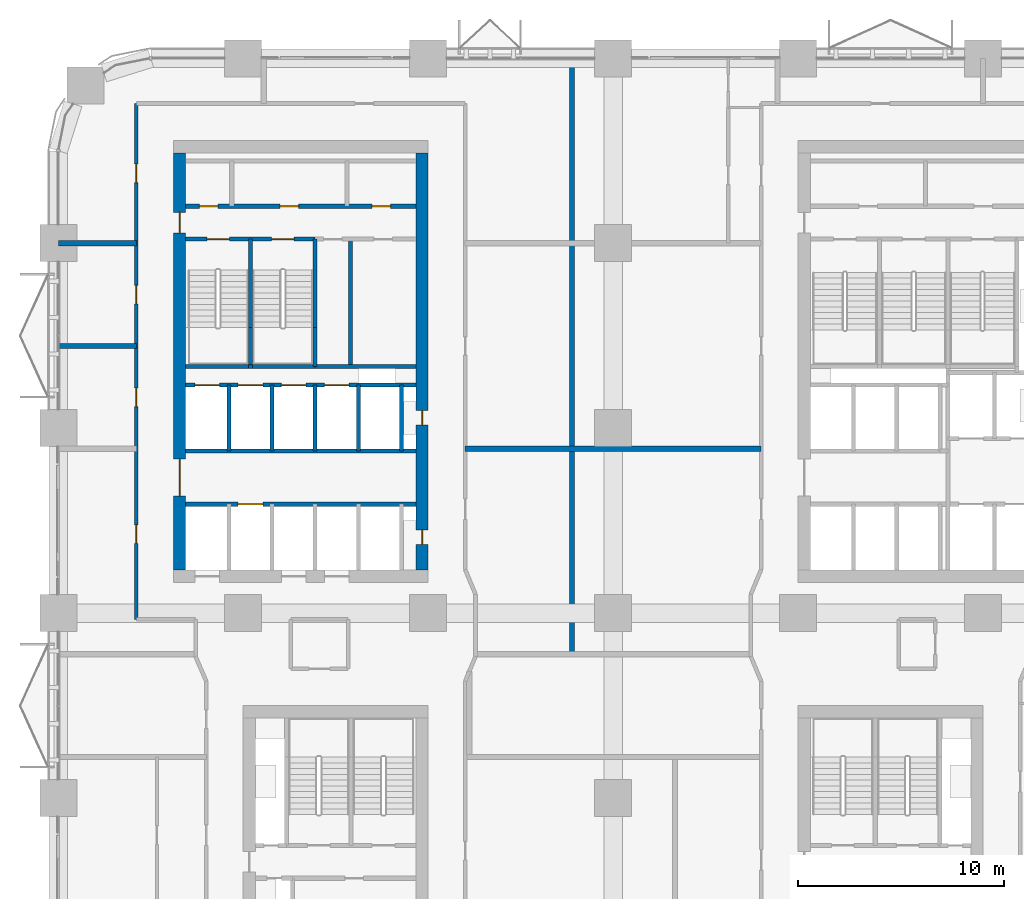
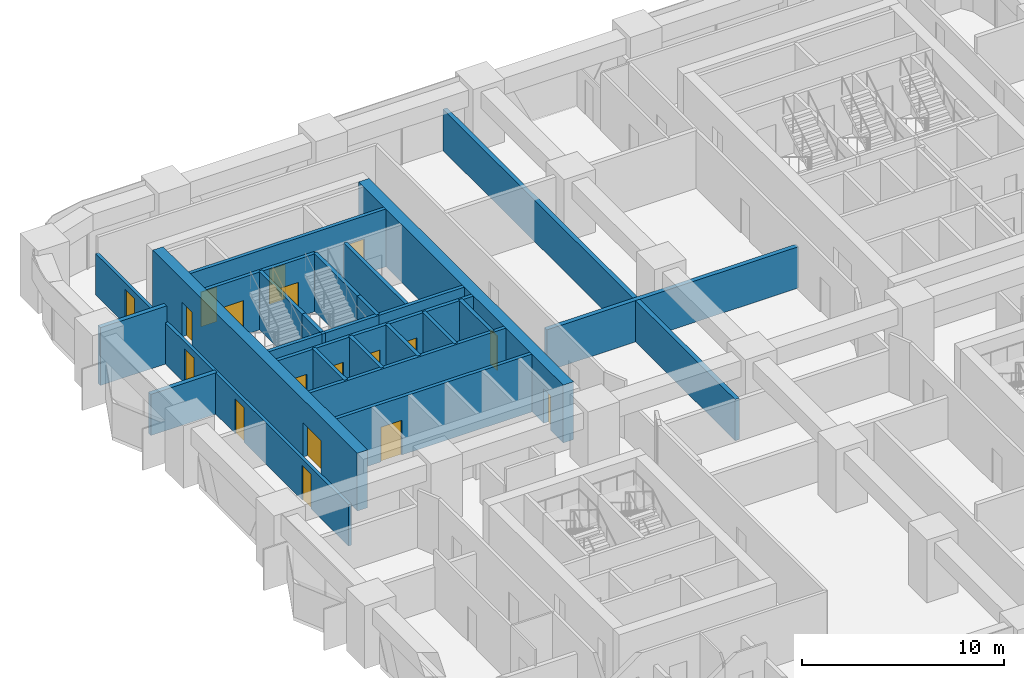
# One storey, part 15 of 21: 26 walls, 18 doors, 18 openings.
"""IFC4 building model written with IfcOpenShell, lengths in metres."""

from ifc_helpers import new_model, si_unit, direction, frame, frame_2d, origin, place, context, subcontext, project, spatial, rectangle, extrude, material, layer, layer_set, type_object, element, fill, save


model = new_model("IFC4")

# Units and contexts
model_context = context("Model", 3, precision=1e-05, world=origin(), true_north=direction((0.0, 1.0)))
body_context = subcontext(model_context, "Body", "Model", "MODEL_VIEW")
ifc_project = project(units=[si_unit("LENGTHUNIT", "METRE"), si_unit("AREAUNIT", "SQUARE_METRE"), si_unit("VOLUMEUNIT", "CUBIC_METRE"), si_unit("PLANEANGLEUNIT", "RADIAN"), si_unit("MASSUNIT", "GRAM", prefix="KILO")], contexts=[model_context])

# Site, building, storey
site_placement = place(None, origin())
site = spatial("IfcSite", under=ifc_project, at=site_placement, CompositionType="ELEMENT")
building_placement = place(site_placement, origin())
building = spatial("IfcBuilding", under=site, at=building_placement, Name="Tessera Arch", CompositionType="ELEMENT")
storey_placement = place(building_placement, frame((0.0, 0.0, 42.39990234375)))
storey = spatial("IfcBuildingStorey", under=building, at=storey_placement, Name="L08", CompositionType="ELEMENT", Elevation=42.39990234375)

# Wall
ifc_material_1 = material(Name="Gypsum board on steel stud", Category="steel")
ifc_layer_1 = layer(ifc_material_1, 0.125)
ifc_layer_set_1 = layer_set([ifc_layer_1], Name="Core partition 125 EI 60")
wall_type_1 = type_object("IfcWallType", Name="Core partition 125 EI 60", PredefinedType="PARTITIONING", material=ifc_layer_set_1)
wall_1_placement = place(storey_placement, frame((14.215087890625, 39.0, 0.0), z_axis=(0.0, 0.0, 1.0), x_axis=(0.0, 1.0, 0.0)))
element("IfcWall", 1, at=wall_1_placement, inside=storey, type_object=wall_type_1, Name="L08 C2 partition wall 13", PredefinedType="PARTITIONING", context=body_context, shape_type="SweptSolid", body=[
    extrude(rectangle(XDim=6.199951171875, YDim=0.199951171875, at=frame_2d((3.10009765625, 0.0))), origin(), (0.0, 0.0, 1.0), 3.5),
])

# Wall, openings, doors
wall_2_placement = place(storey_placement, frame((6.199951171875, 46.800048828125, 0.0), z_axis=(0.0, 0.0, 1.0), x_axis=(1.0, 0.0, 0.0)))
wall_2 = element("IfcWall", 2, at=wall_2_placement, inside=storey, type_object=wall_type_1, Name="L08 C2 partition wall 27", PredefinedType="PARTITIONING", context=body_context, shape_type="SweptSolid", body=[
    extrude(rectangle(XDim=11.199951171875, YDim=0.199951171875, at=frame_2d((5.60009765625, 0.0))), origin(), (0.0, 0.0, 1.0), 3.5),
])
opening_1_placement = place(wall_2_placement, frame((0.669921875, 0.0, 0.0)))
opening_1 = element("IfcOpeningElement", 3, at=opening_1_placement, cuts=wall_2, Name="Opening L08-C28", PredefinedType="OPENING", context=body_context, shape_type="SweptSolid", body=[
    extrude(rectangle(XDim=0.89990234375, YDim=2.10009765625, at=frame_2d((0.449951171875, 1.050048828125))), frame((0.0, 0.10986328125, 0.0), z_axis=(0.0, -1.0, 0.0), x_axis=(1.0, 0.0, 0.0)), (0.0, 0.0, 1.0), 0.219970703125),
])
opening_2_placement = place(wall_2_placement, frame((4.590087890625, 0.0, 0.0)))
opening_2 = element("IfcOpeningElement", 4, at=opening_2_placement, cuts=wall_2, Name="Opening L08-C29", PredefinedType="OPENING", context=body_context, shape_type="SweptSolid", body=[
    extrude(rectangle(XDim=0.89990234375, YDim=2.10009765625, at=frame_2d((0.449951171875, 1.050048828125))), frame((0.0, 0.10986328125, 0.0), z_axis=(0.0, -1.0, 0.0), x_axis=(1.0, 0.0, 0.0)), (0.0, 0.0, 1.0), 0.219970703125),
])
opening_3_placement = place(wall_2_placement, frame((9.070068359375, 0.0, 0.0)))
opening_3 = element("IfcOpeningElement", 5, at=opening_3_placement, cuts=wall_2, Name="Opening L08-C30", PredefinedType="OPENING", context=body_context, shape_type="SweptSolid", body=[
    extrude(rectangle(XDim=0.89990234375, YDim=2.10009765625, at=frame_2d((0.449951171875, 1.050048828125))), frame((0.0, 0.10986328125, 0.0), z_axis=(0.0, -1.0, 0.0), x_axis=(1.0, 0.0, 0.0)), (0.0, 0.0, 1.0), 0.219970703125),
])
ifc_material_2 = material(Name="Steel door leaf", Category="steel")
door_type_1 = type_object("IfcDoorType", Name="Store door FD30S 900 x 2100", OperationType="SINGLE_SWING_LEFT", PredefinedType="DOOR", material=ifc_material_2)
door_1_placement = place(opening_1_placement, origin())
door_1 = element("IfcDoor", 6, at=door_1_placement, inside=storey, type_object=door_type_1, Name="L08 C2 door 15 C28 type D09", OperationType="SINGLE_SWING_LEFT", OverallHeight=2.10009765625, OverallWidth=0.89990234375, PredefinedType="DOOR", context=body_context, shape_type="SweptSolid", body=[
    extrude(rectangle(XDim=0.89990234375, YDim=2.10009765625, at=frame_2d((0.449951171875, 1.050048828125))), frame((0.0, 0.02490234375, 0.0), z_axis=(0.0, -1.0, 0.0), x_axis=(1.0, 0.0, 0.0)), (0.0, 0.0, 1.0), 0.050048828125),
])
fill(opening_1, door_1)
door_2_placement = place(opening_2_placement, origin())
door_2 = element("IfcDoor", 7, at=door_2_placement, inside=storey, type_object=door_type_1, Name="L08 C2 door 16 C29 type D09", OperationType="SINGLE_SWING_LEFT", OverallHeight=2.10009765625, OverallWidth=0.89990234375, PredefinedType="DOOR", context=body_context, shape_type="SweptSolid", body=[
    extrude(rectangle(XDim=0.89990234375, YDim=2.10009765625, at=frame_2d((0.449951171875, 1.050048828125))), frame((0.0, 0.02490234375, 0.0), z_axis=(0.0, -1.0, 0.0), x_axis=(1.0, 0.0, 0.0)), (0.0, 0.0, 1.0), 0.050048828125),
])
fill(opening_2, door_2)
door_3_placement = place(opening_3_placement, origin())
door_3 = element("IfcDoor", 8, at=door_3_placement, inside=storey, type_object=door_type_1, Name="L08 C2 door 17 C30 type D09", OperationType="SINGLE_SWING_RIGHT", OverallHeight=2.10009765625, OverallWidth=0.89990234375, PredefinedType="DOOR", context=body_context, shape_type="SweptSolid", body=[
    extrude(rectangle(XDim=0.89990234375, YDim=2.10009765625, at=frame_2d((0.449951171875, 1.050048828125))), frame((0.0, 0.02490234375, 0.0), z_axis=(0.0, -1.0, 0.0), x_axis=(1.0, 0.0, 0.0)), (0.0, 0.0, 1.0), 0.050048828125),
])
fill(opening_3, door_3)

ifc_material_3 = material(Name="Concrete C70/85", Category="concrete")
ifc_layer_2 = layer(ifc_material_3, 0.60009765625)
ifc_layer_set_2 = layer_set([ifc_layer_2], Name="Core shell wall 600 C70-85")
wall_type_2 = type_object("IfcWallType", Name="Core shell wall 600 C70-85", PredefinedType="SHEAR", material=ifc_layer_set_2)
wall_3_placement = place(storey_placement, frame((5.89990234375, 29.10009765625, 0.0), z_axis=(0.0, 0.0, 1.0), x_axis=(0.0, 1.0, 0.0)))
wall_3 = element("IfcWall", 9, at=wall_3_placement, inside=storey, type_object=wall_type_2, Name="L08 C2 core wall W", PredefinedType="SHEAR", context=body_context, shape_type="SweptSolid", body=[
    extrude(rectangle(XDim=20.2998046875, YDim=0.60009765625, at=frame_2d((10.14990234375, 0.0))), origin(), (0.0, 0.0, 1.0), 3.5),
])
opening_4_placement = place(wall_3_placement, frame((3.60009765625, 0.0, 0.0)))
opening_4 = element("IfcOpeningElement", 10, at=opening_4_placement, cuts=wall_3, Name="Opening L08-C24", PredefinedType="OPENING", context=body_context, shape_type="SweptSolid", body=[
    extrude(rectangle(XDim=1.800048828125, YDim=2.10009765625, at=frame_2d((0.89990234375, 1.050048828125))), frame((0.0, 0.31005859375, 0.0), z_axis=(0.0, -1.0, 0.0), x_axis=(1.0, 0.0, 0.0)), (0.0, 0.0, 1.0), 0.6201171875),
])
opening_5_placement = place(wall_3_placement, frame((16.39990234375, 0.0, 0.0)))
opening_5 = element("IfcOpeningElement", 11, at=opening_5_placement, cuts=wall_3, Name="Opening L08-C27", PredefinedType="OPENING", context=body_context, shape_type="SweptSolid", body=[
    extrude(rectangle(XDim=1.0, YDim=2.10009765625, at=frame_2d((0.5, 1.050048828125))), frame((0.0, 0.31005859375, 0.0), z_axis=(0.0, -1.0, 0.0), x_axis=(1.0, 0.0, 0.0)), (0.0, 0.0, 1.0), 0.6201171875),
])
ifc_material_4 = material(Name="Steel door leaf", Category="steel")
door_type_2 = type_object("IfcDoorType", Name="Corridor door FD60 1000 x 2100", OperationType="SINGLE_SWING_LEFT", PredefinedType="DOOR", material=ifc_material_4)
door_4_placement = place(opening_5_placement, origin())
door_4 = element("IfcDoor", 12, at=door_4_placement, inside=storey, type_object=door_type_2, Name="L08 C2 door 14 C27 type D12", OperationType="SINGLE_SWING_RIGHT", OverallHeight=2.10009765625, OverallWidth=1.0, PredefinedType="DOOR", context=body_context, shape_type="SweptSolid", body=[
    extrude(rectangle(XDim=1.0, YDim=2.10009765625, at=frame_2d((0.5, 1.050048828125))), frame((0.0, 0.02490234375, 0.0), z_axis=(0.0, -1.0, 0.0), x_axis=(1.0, 0.0, 0.0)), (0.0, 0.0, 1.0), 0.050048828125),
])
fill(opening_5, door_4)
ifc_material_5 = material(Name="Glazed steel door leaf", Category="steel")
door_type_3 = type_object("IfcDoorType", Name="Lobby double door FD30S 1800 x 2100", OperationType="DOUBLE_DOOR_SINGLE_SWING", PredefinedType="DOOR", material=ifc_material_5)
door_5_placement = place(opening_4_placement, origin())
door_5 = element("IfcDoor", 13, at=door_5_placement, inside=storey, type_object=door_type_3, Name="L08 C2 door 11 C24 type D06", OperationType="DOUBLE_DOOR_SINGLE_SWING", OverallHeight=2.10009765625, OverallWidth=1.800048828125, PredefinedType="DOOR", context=body_context, shape_type="SweptSolid", body=[
    extrude(rectangle(XDim=1.800048828125, YDim=2.10009765625, at=frame_2d((0.89990234375, 1.050048828125))), frame((0.0, 0.02490234375, 0.0), z_axis=(0.0, -1.0, 0.0), x_axis=(1.0, 0.0, 0.0)), (0.0, 0.0, 1.0), 0.050048828125),
])
fill(opening_4, door_5)

wall_4_placement = place(storey_placement, frame((17.699951171875, 29.10009765625, 0.0), z_axis=(0.0, 0.0, 1.0), x_axis=(0.0, 1.0, 0.0)))
wall_4 = element("IfcWall", 14, at=wall_4_placement, inside=storey, type_object=wall_type_2, Name="L08 C2 core wall E", PredefinedType="SHEAR", context=body_context, shape_type="SweptSolid", body=[
    extrude(rectangle(XDim=20.2998046875, YDim=0.60009765625, at=frame_2d((10.14990234375, 0.0))), origin(), (0.0, 0.0, 1.0), 3.5),
])
opening_6_placement = place(wall_4_placement, frame((1.25, 0.0, 0.0)))
opening_6 = element("IfcOpeningElement", 15, at=opening_6_placement, cuts=wall_4, Name="Opening L08-C22", PredefinedType="OPENING", context=body_context, shape_type="SweptSolid", body=[
    extrude(rectangle(XDim=0.699951171875, YDim=2.10009765625, at=frame_2d((0.35009765625, 1.050048828125))), frame((0.0, 0.31005859375, 0.0), z_axis=(0.0, -1.0, 0.0), x_axis=(1.0, 0.0, 0.0)), (0.0, 0.0, 1.0), 0.6201171875),
])
opening_7_placement = place(wall_4_placement, frame((7.050048828125, 0.0, 0.0)))
opening_7 = element("IfcOpeningElement", 16, at=opening_7_placement, cuts=wall_4, Name="Opening L08-C23", PredefinedType="OPENING", context=body_context, shape_type="SweptSolid", body=[
    extrude(rectangle(XDim=0.699951171875, YDim=2.10009765625, at=frame_2d((0.35009765625, 1.050048828125))), frame((0.0, 0.31005859375, 0.0), z_axis=(0.0, -1.0, 0.0), x_axis=(1.0, 0.0, 0.0)), (0.0, 0.0, 1.0), 0.6201171875),
])
ifc_material_6 = material(Name="Steel door leaf", Category="steel")
door_type_4 = type_object("IfcDoorType", Name="Service shaft door FD60 700 x 2100", OperationType="SINGLE_SWING_LEFT", PredefinedType="DOOR", material=ifc_material_6)
door_6_placement = place(opening_6_placement, origin())
door_6 = element("IfcDoor", 17, at=door_6_placement, inside=storey, type_object=door_type_4, Name="L08 C2 door 9 C22 type D07", OperationType="SINGLE_SWING_LEFT", OverallHeight=2.10009765625, OverallWidth=0.699951171875, PredefinedType="DOOR", context=body_context, shape_type="SweptSolid", body=[
    extrude(rectangle(XDim=0.699951171875, YDim=2.10009765625, at=frame_2d((0.35009765625, 1.050048828125))), frame((0.0, 0.02490234375, 0.0), z_axis=(0.0, -1.0, 0.0), x_axis=(1.0, 0.0, 0.0)), (0.0, 0.0, 1.0), 0.050048828125),
])
fill(opening_6, door_6)
door_7_placement = place(opening_7_placement, origin())
door_7 = element("IfcDoor", 18, at=door_7_placement, inside=storey, type_object=door_type_4, Name="L08 C2 door 10 C23 type D07", OperationType="SINGLE_SWING_LEFT", OverallHeight=2.10009765625, OverallWidth=0.699951171875, PredefinedType="DOOR", context=body_context, shape_type="SweptSolid", body=[
    extrude(rectangle(XDim=0.699951171875, YDim=2.10009765625, at=frame_2d((0.35009765625, 1.050048828125))), frame((0.0, 0.02490234375, 0.0), z_axis=(0.0, -1.0, 0.0), x_axis=(1.0, 0.0, 0.0)), (0.0, 0.0, 1.0), 0.050048828125),
])
fill(opening_7, door_7)

ifc_material_7 = material(Name="Gypsum board on deep steel stud with mineral wool", Category="steel")
ifc_layer_3 = layer(ifc_material_7, 0.175048828125)
ifc_layer_set_3 = layer_set([ifc_layer_3], Name="Corridor wall 175 EI 60")
wall_type_3 = type_object("IfcWallType", Name="Corridor wall 175 EI 60", PredefinedType="PARTITIONING", material=ifc_layer_set_3)
wall_5_placement = place(storey_placement, frame((3.800048828125, 26.699951171875, 0.0), z_axis=(0.0, 0.0, 1.0), x_axis=(0.0, 1.0, 0.0)))
wall_5 = element("IfcWall", 19, at=wall_5_placement, inside=storey, type_object=wall_type_3, Name="L08 partition 11", PredefinedType="PARTITIONING", context=body_context, shape_type="SweptSolid", body=[
    extrude(rectangle(XDim=25.10009765625, YDim=0.175048828125, at=frame_2d((12.550048828125, 0.0))), origin(), (0.0, 0.0, 1.0), 2.5),
])
opening_8_placement = place(wall_5_placement, frame((3.699951171875, 0.0, 0.0)))
opening_8 = element("IfcOpeningElement", 20, at=opening_8_placement, cuts=wall_5, Name="Opening L08-D023", PredefinedType="OPENING", context=body_context, shape_type="SweptSolid", body=[
    extrude(rectangle(XDim=0.89990234375, YDim=2.10009765625, at=frame_2d((0.449951171875, 1.050048828125))), frame((0.0, 0.097412109375, 0.0), z_axis=(0.0, -1.0, 0.0), x_axis=(1.0, 0.0, 0.0)), (0.0, 0.0, 1.0), 0.195068359375),
])
opening_9_placement = place(wall_5_placement, frame((10.35009765625, 0.0, 0.0)))
opening_9 = element("IfcOpeningElement", 21, at=opening_9_placement, cuts=wall_5, Name="Opening L08-D027", PredefinedType="OPENING", context=body_context, shape_type="SweptSolid", body=[
    extrude(rectangle(XDim=0.89990234375, YDim=2.10009765625, at=frame_2d((0.449951171875, 1.050048828125))), frame((0.0, 0.097412109375, 0.0), z_axis=(0.0, -1.0, 0.0), x_axis=(1.0, 0.0, 0.0)), (0.0, 0.0, 1.0), 0.195068359375),
])
opening_10_placement = place(wall_5_placement, frame((15.35009765625, 0.0, 0.0)))
opening_10 = element("IfcOpeningElement", 22, at=opening_10_placement, cuts=wall_5, Name="Opening L08-D030", PredefinedType="OPENING", context=body_context, shape_type="SweptSolid", body=[
    extrude(rectangle(XDim=0.89990234375, YDim=2.10009765625, at=frame_2d((0.449951171875, 1.050048828125))), frame((0.0, 0.097412109375, 0.0), z_axis=(0.0, -1.0, 0.0), x_axis=(1.0, 0.0, 0.0)), (0.0, 0.0, 1.0), 0.195068359375),
])
opening_11_placement = place(wall_5_placement, frame((21.25, 0.0, 0.0)))
opening_11 = element("IfcOpeningElement", 23, at=opening_11_placement, cuts=wall_5, Name="Opening L08-D036", PredefinedType="OPENING", context=body_context, shape_type="SweptSolid", body=[
    extrude(rectangle(XDim=0.89990234375, YDim=2.10009765625, at=frame_2d((0.449951171875, 1.050048828125))), frame((0.0, 0.097412109375, 0.0), z_axis=(0.0, -1.0, 0.0), x_axis=(1.0, 0.0, 0.0)), (0.0, 0.0, 1.0), 0.195068359375),
])
ifc_material_8 = material(Name="Timber door leaf", Category="wood")
door_type_5 = type_object("IfcDoorType", Name="Room door 900 x 2100", OperationType="SINGLE_SWING_LEFT", PredefinedType="DOOR", material=ifc_material_8)
door_8_placement = place(opening_8_placement, origin())
door_8 = element("IfcDoor", 24, at=door_8_placement, inside=storey, type_object=door_type_5, Name="L08 door D023 type D01", OperationType="SINGLE_SWING_LEFT", OverallHeight=2.10009765625, OverallWidth=0.89990234375, PredefinedType="DOOR", context=body_context, shape_type="SweptSolid", body=[
    extrude(rectangle(XDim=0.89990234375, YDim=2.10009765625, at=frame_2d((0.449951171875, 1.050048828125))), frame((0.0, 0.02490234375, 0.0), z_axis=(0.0, -1.0, 0.0), x_axis=(1.0, 0.0, 0.0)), (0.0, 0.0, 1.0), 0.050048828125),
])
fill(opening_8, door_8)
door_9_placement = place(opening_9_placement, origin())
door_9 = element("IfcDoor", 25, at=door_9_placement, inside=storey, type_object=door_type_5, Name="L08 door D027 type D01", OperationType="SINGLE_SWING_LEFT", OverallHeight=2.10009765625, OverallWidth=0.89990234375, PredefinedType="DOOR", context=body_context, shape_type="SweptSolid", body=[
    extrude(rectangle(XDim=0.89990234375, YDim=2.10009765625, at=frame_2d((0.449951171875, 1.050048828125))), frame((0.0, 0.02490234375, 0.0), z_axis=(0.0, -1.0, 0.0), x_axis=(1.0, 0.0, 0.0)), (0.0, 0.0, 1.0), 0.050048828125),
])
fill(opening_9, door_9)
door_10_placement = place(opening_10_placement, origin())
door_10 = element("IfcDoor", 26, at=door_10_placement, inside=storey, type_object=door_type_5, Name="L08 door D030 type D01", OperationType="SINGLE_SWING_RIGHT", OverallHeight=2.10009765625, OverallWidth=0.89990234375, PredefinedType="DOOR", context=body_context, shape_type="SweptSolid", body=[
    extrude(rectangle(XDim=0.89990234375, YDim=2.10009765625, at=frame_2d((0.449951171875, 1.050048828125))), frame((0.0, 0.02490234375, 0.0), z_axis=(0.0, -1.0, 0.0), x_axis=(1.0, 0.0, 0.0)), (0.0, 0.0, 1.0), 0.050048828125),
])
fill(opening_10, door_10)
door_11_placement = place(opening_11_placement, origin())
door_11 = element("IfcDoor", 27, at=door_11_placement, inside=storey, type_object=door_type_5, Name="L08 door D036 type D01", OperationType="SINGLE_SWING_RIGHT", OverallHeight=2.10009765625, OverallWidth=0.89990234375, PredefinedType="DOOR", context=body_context, shape_type="SweptSolid", body=[
    extrude(rectangle(XDim=0.89990234375, YDim=2.10009765625, at=frame_2d((0.449951171875, 1.050048828125))), frame((0.0, 0.02490234375, 0.0), z_axis=(0.0, -1.0, 0.0), x_axis=(1.0, 0.0, 0.0)), (0.0, 0.0, 1.0), 0.050048828125),
])
fill(opening_11, door_11)

# Walls
ifc_material_9 = material(Name="Double gypsum board on twin steel stud with acoustic mineral wool", Category="steel")
ifc_layer_4 = layer(ifc_material_9, 0.25)
ifc_layer_set_4 = layer_set([ifc_layer_4], Name="Party wall 250 EI 60")
wall_type_4 = type_object("IfcWallType", Name="Party wall 250 EI 60", PredefinedType="PARTITIONING", material=ifc_layer_set_4)
wall_6_placement = place(storey_placement, frame((19.800048828125, 35.0, 0.0), z_axis=(0.0, 0.0, 1.0), x_axis=(1.0, 0.0, 0.0)))
element("IfcWall", 28, at=wall_6_placement, inside=storey, type_object=wall_type_4, Name="L08 partition 42", PredefinedType="PARTITIONING", context=body_context, shape_type="SweptSolid", body=[
    extrude(rectangle(XDim=14.39990234375, YDim=0.25, at=frame_2d((7.199951171875, 0.0))), origin(), (0.0, 0.0, 1.0), 2.5),
])
wall_7_placement = place(storey_placement, frame((0.0, 40.0, 0.0), z_axis=(0.0, 0.0, 1.0), x_axis=(1.0, 0.0, 0.0)))
element("IfcWall", 29, at=wall_7_placement, inside=storey, type_object=wall_type_4, Name="L08 partition 43", PredefinedType="PARTITIONING", context=body_context, shape_type="SweptSolid", body=[
    extrude(rectangle(XDim=3.800048828125, YDim=0.25, at=frame_2d((1.89990234375, 0.0))), origin(), (0.0, 0.0, 1.0), 2.5),
])
wall_8_placement = place(storey_placement, frame((0.0, 45.0, 0.0), z_axis=(0.0, 0.0, 1.0), x_axis=(1.0, 0.0, 0.0)))
element("IfcWall", 30, at=wall_8_placement, inside=storey, type_object=wall_type_4, Name="L08 partition 45", PredefinedType="PARTITIONING", context=body_context, shape_type="SweptSolid", body=[
    extrude(rectangle(XDim=3.800048828125, YDim=0.25, at=frame_2d((1.89990234375, 0.0))), origin(), (0.0, 0.0, 1.0), 3.5),
])
wall_9_placement = place(storey_placement, frame((25.0, 25.0, 0.0), z_axis=(0.0, 0.0, 1.0), x_axis=(0.0, 1.0, 0.0)))
element("IfcWall", 31, at=wall_9_placement, inside=storey, type_object=wall_type_4, Name="L08 partition 52", PredefinedType="PARTITIONING", context=body_context, shape_type="SweptSolid", body=[
    extrude(rectangle(XDim=29.0, YDim=0.25, at=frame_2d((14.5, 0.0))), origin(), (0.0, 0.0, 1.0), 2.5),
])
ifc_material_10 = material(Name="Concrete C40/50", Category="concrete")
ifc_layer_5 = layer(ifc_material_10, 0.199951171875)
ifc_layer_set_5 = layer_set([ifc_layer_5], Name="Shaft wall 200 EI 120")
wall_type_5 = type_object("IfcWallType", Name="Shaft wall 200 EI 120", PredefinedType="SOLIDWALL", material=ifc_layer_set_5)
for number, where, z_axis, x_axis, name in (
    (32, (8.300048828125, 34.89990234375, 0.0), (0.0, 0.0, 1.0), (0.0, 1.0, 0.0), "L08 C2 shaft wall 2"),
    (33, (10.39990234375, 34.89990234375, 0.0), (0.0, 0.0, 1.0), (0.0, 1.0, 0.0), "L08 C2 shaft wall 7"),
    (34, (12.5, 34.89990234375, 0.0), (0.0, 0.0, 1.0), (0.0, 1.0, 0.0), "L08 C2 shaft wall 9"),
    (35, (14.60009765625, 34.89990234375, 0.0), (0.0, 0.0, 1.0), (0.0, 1.0, 0.0), "L08 C2 shaft wall 15"),
    (36, (16.699951171875, 34.89990234375, 0.0), (0.0, 0.0, 1.0), (0.0, 1.0, 0.0), "L08 C2 shaft wall 17"),
):
    element("IfcWall", number, at=place(storey_placement, frame(where, z_axis=z_axis, x_axis=x_axis)), inside=storey, type_object=wall_type_5, Name=name, PredefinedType="SOLIDWALL", context=body_context, shape_type="SweptSolid", body=[
        extrude(rectangle(XDim=3.2001953125, YDim=0.199951171875, at=frame_2d((1.60009765625, 0.0))), origin(), (0.0, 0.0, 1.0), 3.5),
    ])

# Wall, opening, door
wall_10_placement = place(storey_placement, frame((6.199951171875, 32.300048828125, 0.0), z_axis=(0.0, 0.0, 1.0), x_axis=(1.0, 0.0, 0.0)))
wall_10 = element("IfcWall", 37, at=wall_10_placement, inside=storey, type_object=wall_type_5, Name="L08 C2 shaft wall 18", PredefinedType="SOLIDWALL", context=body_context, shape_type="SweptSolid", body=[
    extrude(rectangle(XDim=11.199951171875, YDim=0.199951171875, at=frame_2d((5.60009765625, 0.0))), origin(), (0.0, 0.0, 1.0), 3.5),
])
opening_12_placement = place(wall_10_placement, frame((2.550048828125, 0.0, 0.0)))
opening_12 = element("IfcOpeningElement", 38, at=opening_12_placement, cuts=wall_10, Name="Opening L08-C15", PredefinedType="OPENING", context=body_context, shape_type="SweptSolid", body=[
    extrude(rectangle(XDim=1.199951171875, YDim=2.10009765625, at=frame_2d((0.60009765625, 1.050048828125))), frame((0.0, 0.10986328125, 0.0), z_axis=(0.0, -1.0, 0.0), x_axis=(1.0, 0.0, 0.0)), (0.0, 0.0, 1.0), 0.219970703125),
])
ifc_material_11 = material(Name="Stainless steel AISI 304", Category="steel")
door_type_6 = type_object("IfcDoorType", Name="Sliding landing door 1200 x 2100", OperationType="SLIDING_TO_LEFT", PredefinedType="DOOR", material=ifc_material_11)
door_12_placement = place(opening_12_placement, origin())
door_12 = element("IfcDoor", 39, at=door_12_placement, inside=storey, type_object=door_type_6, Name="L08 LR2 lift landing door C15 type LD", OperationType="SLIDING_TO_LEFT", OverallHeight=2.10009765625, OverallWidth=1.199951171875, PredefinedType="DOOR", context=body_context, shape_type="SweptSolid", body=[
    extrude(rectangle(XDim=1.199951171875, YDim=2.10009765625, at=frame_2d((0.60009765625, 1.050048828125))), frame((0.0, 0.02490234375, 0.0), z_axis=(0.0, -1.0, 0.0), x_axis=(1.0, 0.0, 0.0)), (0.0, 0.0, 1.0), 0.050048828125),
])
fill(opening_12, door_12)

# Wall
wall_11_placement = place(storey_placement, frame((6.199951171875, 34.89990234375, 0.0), z_axis=(0.0, 0.0, 1.0), x_axis=(1.0, 0.0, 0.0)))
element("IfcWall", 40, at=wall_11_placement, inside=storey, type_object=wall_type_5, Name="L08 C2 shaft wall 19", PredefinedType="SOLIDWALL", context=body_context, shape_type="SweptSolid", body=[
    extrude(rectangle(XDim=11.199951171875, YDim=0.199951171875, at=frame_2d((5.60009765625, 0.0))), origin(), (0.0, 0.0, 1.0), 3.5),
])

# Wall, openings, doors
wall_12_placement = place(storey_placement, frame((6.199951171875, 38.10009765625, 0.0), z_axis=(0.0, 0.0, 1.0), x_axis=(1.0, 0.0, 0.0)))
wall_12 = element("IfcWall", 41, at=wall_12_placement, inside=storey, type_object=wall_type_5, Name="L08 C2 shaft wall 20", PredefinedType="SOLIDWALL", context=body_context, shape_type="SweptSolid", body=[
    extrude(rectangle(XDim=11.199951171875, YDim=0.199951171875, at=frame_2d((5.60009765625, 0.0))), origin(), (0.0, 0.0, 1.0), 3.5),
])
opening_13_placement = place(wall_12_placement, frame((0.449951171875, 0.0, 0.0)))
opening_13 = element("IfcOpeningElement", 42, at=opening_13_placement, cuts=wall_12, Name="Opening L08-C18", PredefinedType="OPENING", context=body_context, shape_type="SweptSolid", body=[
    extrude(rectangle(XDim=1.199951171875, YDim=2.10009765625, at=frame_2d((0.60009765625, 1.050048828125))), frame((0.0, 0.10986328125, 0.0), z_axis=(0.0, -1.0, 0.0), x_axis=(1.0, 0.0, 0.0)), (0.0, 0.0, 1.0), 0.219970703125),
])
opening_14_placement = place(wall_12_placement, frame((2.550048828125, 0.0, 0.0)))
opening_14 = element("IfcOpeningElement", 43, at=opening_14_placement, cuts=wall_12, Name="Opening L08-C19", PredefinedType="OPENING", context=body_context, shape_type="SweptSolid", body=[
    extrude(rectangle(XDim=1.199951171875, YDim=2.10009765625, at=frame_2d((0.60009765625, 1.050048828125))), frame((0.0, 0.10986328125, 0.0), z_axis=(0.0, -1.0, 0.0), x_axis=(1.0, 0.0, 0.0)), (0.0, 0.0, 1.0), 0.219970703125),
])
opening_15_placement = place(wall_12_placement, frame((4.64990234375, 0.0, 0.0)))
opening_15 = element("IfcOpeningElement", 44, at=opening_15_placement, cuts=wall_12, Name="Opening L08-C20", PredefinedType="OPENING", context=body_context, shape_type="SweptSolid", body=[
    extrude(rectangle(XDim=1.199951171875, YDim=2.10009765625, at=frame_2d((0.60009765625, 1.050048828125))), frame((0.0, 0.10986328125, 0.0), z_axis=(0.0, -1.0, 0.0), x_axis=(1.0, 0.0, 0.0)), (0.0, 0.0, 1.0), 0.219970703125),
])
opening_16_placement = place(wall_12_placement, frame((6.75, 0.0, 0.0)))
opening_16 = element("IfcOpeningElement", 45, at=opening_16_placement, cuts=wall_12, Name="Opening L08-C21", PredefinedType="OPENING", context=body_context, shape_type="SweptSolid", body=[
    extrude(rectangle(XDim=1.199951171875, YDim=2.10009765625, at=frame_2d((0.60009765625, 1.050048828125))), frame((0.0, 0.10986328125, 0.0), z_axis=(0.0, -1.0, 0.0), x_axis=(1.0, 0.0, 0.0)), (0.0, 0.0, 1.0), 0.219970703125),
])
door_13_placement = place(opening_13_placement, origin())
door_13 = element("IfcDoor", 46, at=door_13_placement, inside=storey, type_object=door_type_6, Name="L08 LR5 lift landing door C18 type LD", OperationType="SLIDING_TO_LEFT", OverallHeight=2.10009765625, OverallWidth=1.199951171875, PredefinedType="DOOR", context=body_context, shape_type="SweptSolid", body=[
    extrude(rectangle(XDim=1.199951171875, YDim=2.10009765625, at=frame_2d((0.60009765625, 1.050048828125))), frame((0.0, 0.02490234375, 0.0), z_axis=(0.0, -1.0, 0.0), x_axis=(1.0, 0.0, 0.0)), (0.0, 0.0, 1.0), 0.050048828125),
])
fill(opening_13, door_13)
door_14_placement = place(opening_14_placement, origin())
door_14 = element("IfcDoor", 47, at=door_14_placement, inside=storey, type_object=door_type_6, Name="L08 LR6 lift landing door C19 type LD", OperationType="SLIDING_TO_LEFT", OverallHeight=2.10009765625, OverallWidth=1.199951171875, PredefinedType="DOOR", context=body_context, shape_type="SweptSolid", body=[
    extrude(rectangle(XDim=1.199951171875, YDim=2.10009765625, at=frame_2d((0.60009765625, 1.050048828125))), frame((0.0, 0.02490234375, 0.0), z_axis=(0.0, -1.0, 0.0), x_axis=(1.0, 0.0, 0.0)), (0.0, 0.0, 1.0), 0.050048828125),
])
fill(opening_14, door_14)
door_15_placement = place(opening_15_placement, origin())
door_15 = element("IfcDoor", 48, at=door_15_placement, inside=storey, type_object=door_type_6, Name="L08 LR7 lift landing door C20 type LD", OperationType="SLIDING_TO_LEFT", OverallHeight=2.10009765625, OverallWidth=1.199951171875, PredefinedType="DOOR", context=body_context, shape_type="SweptSolid", body=[
    extrude(rectangle(XDim=1.199951171875, YDim=2.10009765625, at=frame_2d((0.60009765625, 1.050048828125))), frame((0.0, 0.02490234375, 0.0), z_axis=(0.0, -1.0, 0.0), x_axis=(1.0, 0.0, 0.0)), (0.0, 0.0, 1.0), 0.050048828125),
])
fill(opening_15, door_15)
door_16_placement = place(opening_16_placement, origin())
door_16 = element("IfcDoor", 49, at=door_16_placement, inside=storey, type_object=door_type_6, Name="L08 LR8 lift landing door C21 type LD", OperationType="SLIDING_TO_LEFT", OverallHeight=2.10009765625, OverallWidth=1.199951171875, PredefinedType="DOOR", context=body_context, shape_type="SweptSolid", body=[
    extrude(rectangle(XDim=1.199951171875, YDim=2.10009765625, at=frame_2d((0.60009765625, 1.050048828125))), frame((0.0, 0.02490234375, 0.0), z_axis=(0.0, -1.0, 0.0), x_axis=(1.0, 0.0, 0.0)), (0.0, 0.0, 1.0), 0.050048828125),
])
fill(opening_16, door_16)

# Walls
wall_13_placement = place(storey_placement, frame((12.5, 39.0, 0.0), z_axis=(0.0, 0.0, 1.0), x_axis=(1.0, 0.0, 0.0)))
element("IfcWall", 50, at=wall_13_placement, inside=storey, type_object=wall_type_5, Name="L08 C2 shaft wall 21", PredefinedType="SOLIDWALL", context=body_context, shape_type="SweptSolid", body=[
    extrude(rectangle(XDim=4.89990234375, YDim=0.199951171875, at=frame_2d((2.449951171875, 0.0))), origin(), (0.0, 0.0, 1.0), 3.5),
])
ifc_material_12 = material(Name="Concrete C40/50", Category="concrete")
ifc_layer_6 = layer(ifc_material_12, 0.199951171875)
ifc_layer_set_6 = layer_set([ifc_layer_6], Name="Stair well wall 200 REI 180")
wall_type_6 = type_object("IfcWallType", Name="Stair well wall 200 REI 180", PredefinedType="SOLIDWALL", material=ifc_layer_set_6)
wall_14_placement = place(storey_placement, frame((9.35009765625, 39.0, 0.0), z_axis=(0.0, 0.0, 1.0), x_axis=(0.0, 1.0, 0.0)))
element("IfcWall", 51, at=wall_14_placement, inside=storey, type_object=wall_type_6, Name="L08 C2 shaft wall 4", PredefinedType="SOLIDWALL", context=body_context, shape_type="SweptSolid", body=[
    extrude(rectangle(XDim=1.89990234375, YDim=0.199951171875, at=frame_2d((0.949951171875, 0.0))), origin(), (0.0, 0.0, 1.0), 3.5),
])
wall_15_placement = place(storey_placement, frame((9.35009765625, 40.89990234375, 0.0), z_axis=(0.0, 0.0, 1.0), x_axis=(0.0, 1.0, 0.0)))
element("IfcWall", 52, at=wall_15_placement, inside=storey, type_object=wall_type_6, Name="L08 C2 shaft wall 5", PredefinedType="SOLIDWALL", context=body_context, shape_type="SweptSolid", body=[
    extrude(rectangle(XDim=4.300048828125, YDim=0.199951171875, at=frame_2d((2.14990234375, 0.0))), origin(), (0.0, 0.0, 1.0), 3.5),
])
wall_16_placement = place(storey_placement, frame((12.5, 39.0, 0.0), z_axis=(0.0, 0.0, 1.0), x_axis=(0.0, 1.0, 0.0)))
element("IfcWall", 53, at=wall_16_placement, inside=storey, type_object=wall_type_6, Name="L08 C2 shaft wall 10", PredefinedType="SOLIDWALL", context=body_context, shape_type="SweptSolid", body=[
    extrude(rectangle(XDim=1.89990234375, YDim=0.199951171875, at=frame_2d((0.949951171875, 0.0))), origin(), (0.0, 0.0, 1.0), 3.5),
])
wall_17_placement = place(storey_placement, frame((12.5, 40.89990234375, 0.0), z_axis=(0.0, 0.0, 1.0), x_axis=(0.0, 1.0, 0.0)))
element("IfcWall", 54, at=wall_17_placement, inside=storey, type_object=wall_type_6, Name="L08 C2 shaft wall 11", PredefinedType="SOLIDWALL", context=body_context, shape_type="SweptSolid", body=[
    extrude(rectangle(XDim=4.300048828125, YDim=0.199951171875, at=frame_2d((2.14990234375, 0.0))), origin(), (0.0, 0.0, 1.0), 3.5),
])
wall_18_placement = place(storey_placement, frame((6.199951171875, 39.0, 0.0), z_axis=(0.0, 0.0, 1.0), x_axis=(1.0, 0.0, 0.0)))
element("IfcWall", 55, at=wall_18_placement, inside=storey, type_object=wall_type_6, Name="L08 C2 shaft wall 22", PredefinedType="SOLIDWALL", context=body_context, shape_type="SweptSolid", body=[
    extrude(rectangle(XDim=3.050048828125, YDim=0.199951171875, at=frame_2d((1.52490234375, 0.0))), origin(), (0.0, 0.0, 1.0), 3.5),
])
wall_19_placement = place(storey_placement, frame((9.25, 39.0, 0.0), z_axis=(0.0, 0.0, 1.0), x_axis=(1.0, 0.0, 0.0)))
element("IfcWall", 56, at=wall_19_placement, inside=storey, type_object=wall_type_6, Name="L08 C2 shaft wall 23", PredefinedType="SOLIDWALL", context=body_context, shape_type="SweptSolid", body=[
    extrude(rectangle(XDim=0.199951171875, YDim=0.199951171875, at=frame_2d((0.10009765625, 0.0))), origin(), (0.0, 0.0, 1.0), 3.5),
])
wall_20_placement = place(storey_placement, frame((9.449951171875, 39.0, 0.0), z_axis=(0.0, 0.0, 1.0), x_axis=(1.0, 0.0, 0.0)))
element("IfcWall", 57, at=wall_20_placement, inside=storey, type_object=wall_type_6, Name="L08 C2 shaft wall 24", PredefinedType="SOLIDWALL", context=body_context, shape_type="SweptSolid", body=[
    extrude(rectangle(XDim=3.050048828125, YDim=0.199951171875, at=frame_2d((1.52490234375, 0.0))), origin(), (0.0, 0.0, 1.0), 3.5),
])

# Wall, openings, doors
wall_21_placement = place(storey_placement, frame((6.199951171875, 45.199951171875, 0.0), z_axis=(0.0, 0.0, 1.0), x_axis=(1.0, 0.0, 0.0)))
wall_21 = element("IfcWall", 58, at=wall_21_placement, inside=storey, type_object=wall_type_6, Name="L08 C2 shaft wall 26", PredefinedType="SOLIDWALL", context=body_context, shape_type="SweptSolid", body=[
    extrude(rectangle(XDim=6.300048828125, YDim=0.199951171875, at=frame_2d((3.14990234375, 0.0))), origin(), (0.0, 0.0, 1.0), 3.5),
])
opening_17_placement = place(wall_21_placement, frame((1.02490234375, 0.0, 0.0)))
opening_17 = element("IfcOpeningElement", 59, at=opening_17_placement, cuts=wall_21, Name="Opening L08-C25", PredefinedType="OPENING", context=body_context, shape_type="SweptSolid", body=[
    extrude(rectangle(XDim=1.10009765625, YDim=2.10009765625, at=frame_2d((0.550048828125, 1.050048828125))), frame((0.0, 0.10986328125, 0.0), z_axis=(0.0, -1.0, 0.0), x_axis=(1.0, 0.0, 0.0)), (0.0, 0.0, 1.0), 0.219970703125),
])
opening_18_placement = place(wall_21_placement, frame((4.175048828125, 0.0, 0.0)))
opening_18 = element("IfcOpeningElement", 60, at=opening_18_placement, cuts=wall_21, Name="Opening L08-C26", PredefinedType="OPENING", context=body_context, shape_type="SweptSolid", body=[
    extrude(rectangle(XDim=1.10009765625, YDim=2.10009765625, at=frame_2d((0.550048828125, 1.050048828125))), frame((0.0, 0.10986328125, 0.0), z_axis=(0.0, -1.0, 0.0), x_axis=(1.0, 0.0, 0.0)), (0.0, 0.0, 1.0), 0.219970703125),
])
ifc_material_13 = material(Name="Steel door leaf", Category="steel")
door_type_7 = type_object("IfcDoorType", Name="Stair door FD60 1100 x 2100", OperationType="SINGLE_SWING_LEFT", PredefinedType="DOOR", material=ifc_material_13)
door_17_placement = place(opening_17_placement, origin())
door_17 = element("IfcDoor", 61, at=door_17_placement, inside=storey, type_object=door_type_7, Name="L08 C2 door 12 C25 type D05", OperationType="SINGLE_SWING_LEFT", OverallHeight=2.10009765625, OverallWidth=1.10009765625, PredefinedType="DOOR", context=body_context, shape_type="SweptSolid", body=[
    extrude(rectangle(XDim=1.10009765625, YDim=2.10009765625, at=frame_2d((0.550048828125, 1.050048828125))), frame((0.0, 0.02490234375, 0.0), z_axis=(0.0, -1.0, 0.0), x_axis=(1.0, 0.0, 0.0)), (0.0, 0.0, 1.0), 0.050048828125),
])
fill(opening_17, door_17)
door_18_placement = place(opening_18_placement, origin())
door_18 = element("IfcDoor", 62, at=door_18_placement, inside=storey, type_object=door_type_7, Name="L08 C2 door 13 C26 type D05", OperationType="SINGLE_SWING_RIGHT", OverallHeight=2.10009765625, OverallWidth=1.10009765625, PredefinedType="DOOR", context=body_context, shape_type="SweptSolid", body=[
    extrude(rectangle(XDim=1.10009765625, YDim=2.10009765625, at=frame_2d((0.550048828125, 1.050048828125))), frame((0.0, 0.02490234375, 0.0), z_axis=(0.0, -1.0, 0.0), x_axis=(1.0, 0.0, 0.0)), (0.0, 0.0, 1.0), 0.050048828125),
])
fill(opening_18, door_18)

save(model, "model.ifc")
